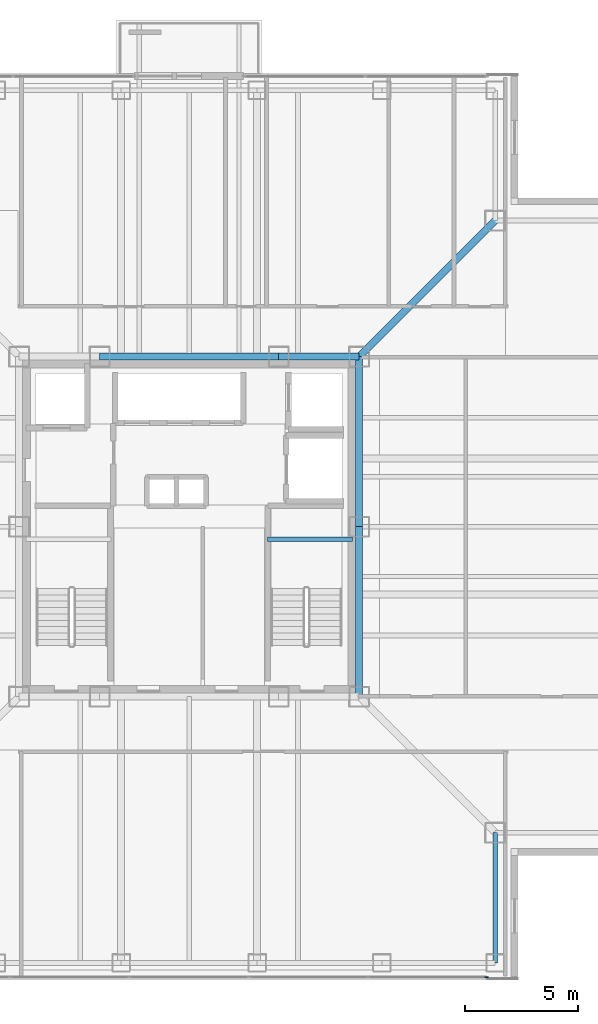
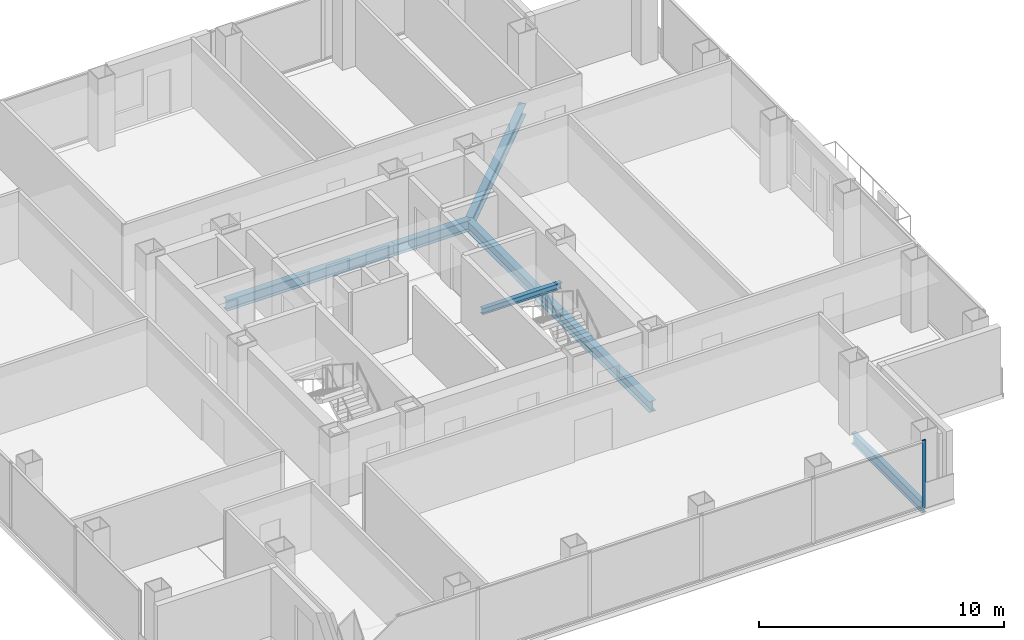
# One storey, part 5 of 17: 7 beams, 1 member, 1 element without a shape of its own.
"""IFC4 building model written with IfcOpenShell, lengths in metres."""

from ifc_helpers import new_model, si_unit, direction, frame, origin, origin_2d, place, context, subcontext, project, spatial, rectangle, i_section, extrude, material, layer, layer_set, material_profile, profile_set, type_object, element, aggregate, save


model = new_model("IFC4")

# Units and contexts
model_context = context("Model", 3, precision=1e-05, world=origin(), true_north=direction((0.0, 1.0)))
body_context = subcontext(model_context, "Body", "Model", "MODEL_VIEW")
ifc_project = project(units=[si_unit("LENGTHUNIT", "METRE"), si_unit("AREAUNIT", "SQUARE_METRE"), si_unit("VOLUMEUNIT", "CUBIC_METRE"), si_unit("PLANEANGLEUNIT", "RADIAN"), si_unit("MASSUNIT", "GRAM", prefix="KILO")], contexts=[model_context])

# Site, building, storey
site_placement = place(None, origin())
site = spatial("IfcSite", under=ifc_project, at=site_placement, CompositionType="ELEMENT")
building_placement = place(site_placement, origin())
building = spatial("IfcBuilding", under=site, at=building_placement, Name="Trevonay Congress Spire", CompositionType="ELEMENT")
storey_placement = place(building_placement, frame((0.0, 0.0, 187.800048828125)))
storey = spatial("IfcBuildingStorey", under=building, at=storey_placement, Name="L48", CompositionType="ELEMENT", Elevation=187.800048828125)

# Beams
ifc_material_1 = material(Name="Steel ASTM A572 Grade 50", Category="steel")
ifc_material_profile_1 = material_profile(ifc_material_1, i_section(OverallWidth=0.31201171875, OverallDepth=0.54296875, WebThickness=0.0126953125, FlangeThickness=0.020263671875, FilletRadius=0.014892578125, at=origin_2d()), Name="W530x150")
ifc_profile_set_1 = profile_set([ifc_material_profile_1], Name="Steel ASTM A572 Grade 50")
beam_type_1 = type_object("IfcBeamType", Name="BM-GIRD-W530X150", PredefinedType="BEAM", material=ifc_profile_set_1)
beam_1_placement = place(storey_placement, frame((-3.949951171875, 7.5, -0.511474609375), z_axis=(1.0, 0.0, 0.0), x_axis=(0.0, 1.0, 0.0)))
element("IfcBeam", 1, at=beam_1_placement, inside=storey, type_object=beam_type_1, Name="L48 structural beam BM-L48-CR-N2", PredefinedType="BEAM", context=body_context, shape_type="SweptSolid", body=[
    extrude(i_section(OverallWidth=0.31201171875, OverallDepth=0.54296875, WebThickness=0.0126953125, FlangeThickness=0.020263671875, FilletRadius=0.014892578125, at=origin_2d()), origin(), (0.0, 0.0, 1.0), 7.89990234375),
])
beam_2_placement = place(storey_placement, frame((3.949951171875, 7.5, -0.511474609375), z_axis=(1.0, 0.0, 0.0), x_axis=(0.0, 1.0, 0.0)))
element("IfcBeam", 2, at=beam_2_placement, inside=storey, type_object=beam_type_1, Name="L48 structural beam BM-L48-CR-N3", PredefinedType="BEAM", context=body_context, shape_type="SweptSolid", body=[
    extrude(i_section(OverallWidth=0.31201171875, OverallDepth=0.54296875, WebThickness=0.0126953125, FlangeThickness=0.020263671875, FilletRadius=0.014892578125, at=origin_2d()), origin(), (0.0, 0.0, 1.0), 3.550048828125),
])
for number, where, z_axis, x_axis, name in (
    (3, (7.5, -7.5, -0.511474609375), (0.0, 1.0, 0.0), (-1.0, 0.0, 0.0), "L48 structural beam BM-L48-CR-E1"),
    (4, (7.5, 0.0, -0.511474609375), (0.0, 1.0, 0.0), (-1.0, 0.0, 0.0), "L48 structural beam BM-L48-CR-E2"),
):
    element("IfcBeam", number, at=place(storey_placement, frame(where, z_axis=z_axis, x_axis=x_axis)), inside=storey, type_object=beam_type_1, Name=name, PredefinedType="BEAM", context=body_context, shape_type="SweptSolid", body=[
        extrude(i_section(OverallWidth=0.31201171875, OverallDepth=0.54296875, WebThickness=0.0126953125, FlangeThickness=0.020263671875, FilletRadius=0.014892578125, at=origin_2d()), origin(), (0.0, 0.0, 1.0), 7.5),
    ])
beam_3_placement = place(storey_placement, frame((7.5, 7.5, -0.511474609375), z_axis=(0.707106781187, 0.707106781187, 0.0), x_axis=(-0.707106781187, 0.707106781187, 0.0)))
element("IfcBeam", 5, at=beam_3_placement, inside=storey, type_object=beam_type_1, Name="L48 structural beam BM-L48-CDNE", PredefinedType="BEAM", context=body_context, shape_type="SweptSolid", body=[
    extrude(i_section(OverallWidth=0.31201171875, OverallDepth=0.54296875, WebThickness=0.0126953125, FlangeThickness=0.020263671875, FilletRadius=0.014892578125, at=origin_2d()), origin(), (0.0, 0.0, 1.0), 8.4853515625),
])
ifc_material_profile_2 = material_profile(ifc_material_1, i_section(OverallWidth=0.2119140625, OverallDepth=0.5439453125, WebThickness=0.01318359375, FlangeThickness=0.021240234375, FilletRadius=0.014892578125, at=origin_2d()), Name="W530x123")
ifc_profile_set_2 = profile_set([ifc_material_profile_2], Name="Steel ASTM A572 Grade 50")
beam_type_2 = type_object("IfcBeamType", Name="BM-RING-W530X123", PredefinedType="BEAM", material=ifc_profile_set_2)
beam_4_placement = place(storey_placement, frame((13.5, -19.25, -0.511962890625), z_axis=(0.0, 1.0, 0.0), x_axis=(-1.0, 0.0, 0.0)))
element("IfcBeam", 6, at=beam_4_placement, inside=storey, type_object=beam_type_2, Name="L48 structural beam BM-L48-N1SE", PredefinedType="BEAM", context=body_context, shape_type="SweptSolid", body=[
    extrude(i_section(OverallWidth=0.2119140625, OverallDepth=0.5439453125, WebThickness=0.01318359375, FlangeThickness=0.021240234375, FilletRadius=0.014892578125, at=origin_2d()), origin(), (0.0, 0.0, 1.0), 5.75),
])

# Curtain wall, member
ifc_material_2 = material(Name="Pale Anodised Aluminium EN AW-6063-T6", Category="aluminium")
ifc_layer = layer(ifc_material_2, 0.169921875, Name="Pale Anodised Aluminium EN AW-6063-T6")
ifc_layer_set = layer_set([ifc_layer], Name="Pale Anodised Aluminium EN AW-6063-T6")
curtain_wall_type = type_object("IfcCurtainWallType", Name="CW-SYS04-CORP-PALE-METAL", PredefinedType="NOTDEFINED", material=ifc_layer_set)
curtain_wall_placement = place(storey_placement, origin())
curtain_wall = element("IfcCurtainWall", 7, at=curtain_wall_placement, inside=storey, type_object=curtain_wall_type, Name="L48 S unitised curtain wall", PredefinedType="NOTDEFINED")
ifc_material_profile_3 = material_profile(ifc_material_2, rectangle(XDim=0.06005859375, YDim=0.159912109375, at=origin_2d()), Name="CW-MULLION-160-ALUMINIUM")
ifc_profile_set_3 = profile_set([ifc_material_profile_3], Name="Pale Anodised Aluminium EN AW-6063-T6")
member_type = type_object("IfcMemberType", Name="CW-MULLION-160-ALUMINIUM", PredefinedType="MULLION", material=ifc_profile_set_3)
member_placement = place(storey_placement, frame((13.1201171875, -19.8798828125, 0.0), z_axis=(0.0, 0.0, 1.0), x_axis=(0.0, 1.0, 0.0)))
member = element("IfcMember", 8, at=member_placement, type_object=member_type, Name="CW04 mullion 6", PredefinedType="MULLION", context=body_context, shape_type="SweptSolid", body=[
    extrude(rectangle(XDim=0.06005859375, YDim=0.159912109375, at=origin_2d()), origin(), (0.0, 0.0, 1.0), 3.35986328125),
])
aggregate(curtain_wall, [member])

# Beam
ifc_material_profile_4 = material_profile(ifc_material_1, i_section(OverallWidth=0.2041015625, OverallDepth=0.305908203125, WebThickness=0.008544921875, FlangeThickness=0.0146484375, FilletRadius=0.010986328125, at=origin_2d()), Name="W310x67")
ifc_profile_set_4 = profile_set([ifc_material_profile_4], Name="Steel ASTM A572 Grade 50")
beam_type_3 = type_object("IfcBeamType", Name="LN-CORE-W310X67", PredefinedType="LINTEL", material=ifc_profile_set_4)
beam_5_placement = place(storey_placement, frame((3.449951171875, -0.550048828125, 1.447021484375), z_axis=(1.0, 0.0, 0.0), x_axis=(0.0, 1.0, 0.0)))
element("IfcBeam", 9, at=beam_5_placement, inside=storey, type_object=beam_type_3, Name="L48 structural beam BM-L48-HL-ST2", PredefinedType="LINTEL", context=body_context, shape_type="SweptSolid", body=[
    extrude(i_section(OverallWidth=0.2041015625, OverallDepth=0.305908203125, WebThickness=0.008544921875, FlangeThickness=0.0146484375, FilletRadius=0.010986328125, at=origin_2d()), origin(), (0.0, 0.0, 1.0), 3.75),
])

save(model, "model.ifc")
